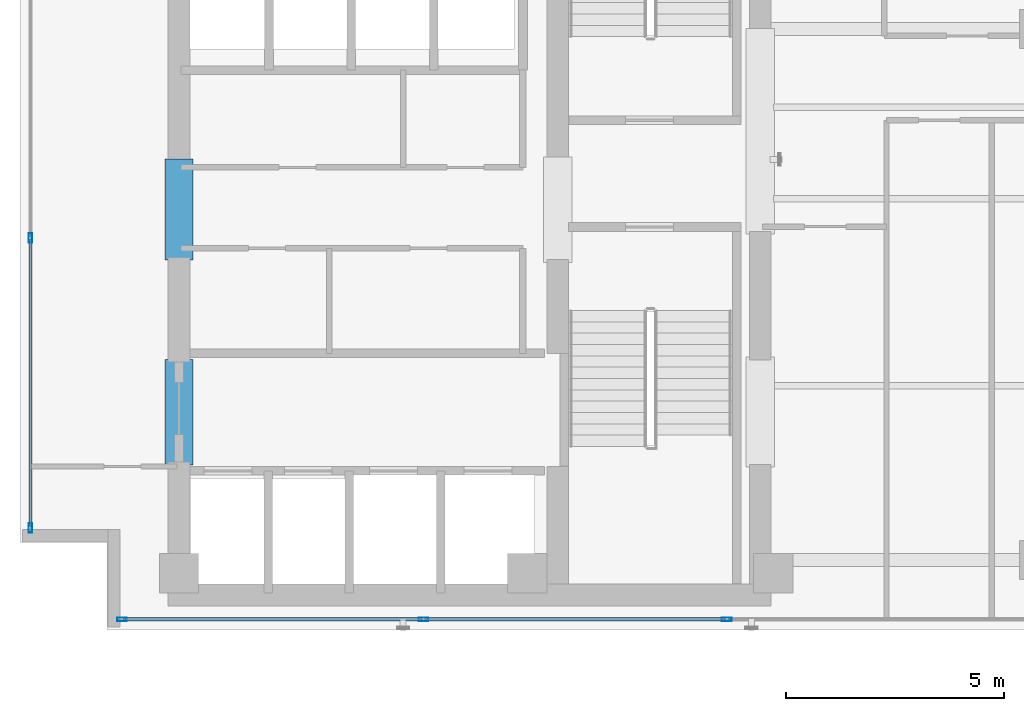
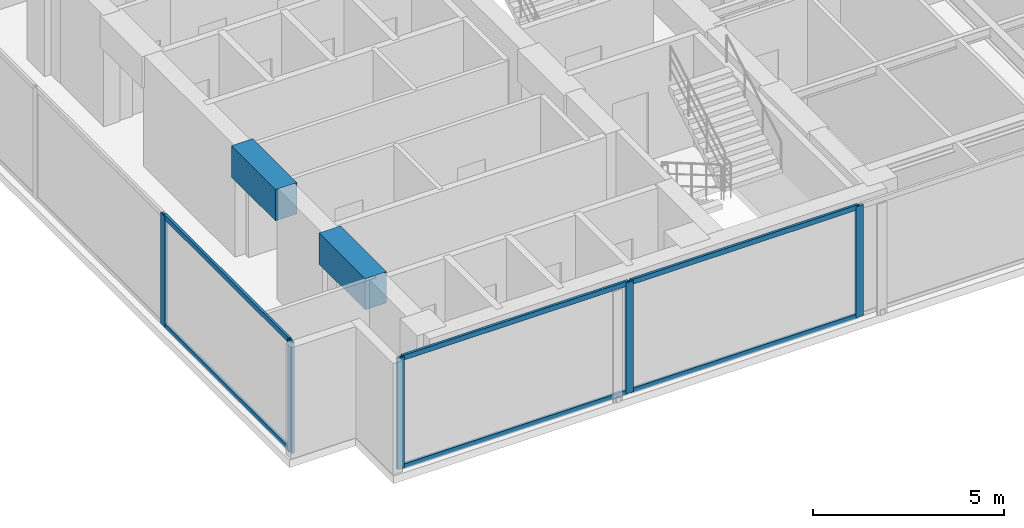
# One storey, part 2 of 23: 11 members, 2 beams, 2 elements without a shape of their own.
"""IFC4 building model written with IfcOpenShell, lengths in metres."""

from ifc_helpers import new_model, si_unit, direction, frame, origin, origin_with_axes, origin_2d, place, context, subcontext, project, spatial, rectangle, hollow_rectangle, extrude, source, transform, mapped, material, layer, layer_set, material_profile, profile_set, type_object, element, aggregate, save


model = new_model("IFC4")

# Units and contexts
model_context = context("Model", 3, precision=1e-05, world=origin(), true_north=direction((0.0, 1.0)))
body_context = subcontext(model_context, "Body", "Model", "MODEL_VIEW")
ifc_project = project(units=[si_unit("LENGTHUNIT", "METRE"), si_unit("AREAUNIT", "SQUARE_METRE"), si_unit("VOLUMEUNIT", "CUBIC_METRE"), si_unit("PLANEANGLEUNIT", "RADIAN"), si_unit("MASSUNIT", "GRAM", prefix="KILO")], contexts=[model_context])

# Site, building, storey
site_placement = place(None, origin())
site = spatial("IfcSite", under=ifc_project, at=site_placement, CompositionType="ELEMENT")
building_placement = place(site_placement, origin())
building = spatial("IfcBuilding", under=site, at=building_placement, Name="Kolvaren Waterfront Exchange", CompositionType="ELEMENT")
storey_placement = place(building_placement, frame((0.0, 0.0, 304.60009765625)))
storey = spatial("IfcBuildingStorey", under=building, at=storey_placement, Name="L78", CompositionType="ELEMENT", Elevation=304.60009765625)

# Beams
ifc_material_1 = material(Name="Concrete C60/75", Category="concrete")
ifc_material_profile_1 = material_profile(ifc_material_1, rectangle(XDim=0.64990234375, YDim=1.0, at=origin_2d()), Name="RC-CB-1000x650")
ifc_profile_set_1 = profile_set([ifc_material_profile_1], Name="Concrete C60/75")
beam_type = type_object("IfcBeamType", Name="STR-CB-1000", PredefinedType="SPANDREL", material=ifc_profile_set_1)
beam_1_placement = place(storey_placement, frame((7.449951171875, 7.389892578125, 3.059814453125), z_axis=(0.0, 1.0, 0.0), x_axis=(-1.0, 0.0, 0.0)))
element("IfcBeam", 1, at=beam_1_placement, inside=storey, type_object=beam_type, Name="L78 core coupling beam 3", PredefinedType="SPANDREL", context=body_context, shape_type="SweptSolid", body=[
    extrude(rectangle(XDim=0.64990234375, YDim=1.0, at=origin_2d()), origin(), (0.0, 0.0, 1.0), 2.420166015625),
])
beam_2_placement = place(storey_placement, frame((7.449951171875, 12.090087890625, 3.059814453125), z_axis=(0.0, 1.0, 0.0), x_axis=(-1.0, 0.0, 0.0)))
element("IfcBeam", 2, at=beam_2_placement, inside=storey, type_object=beam_type, Name="L78 core coupling beam 4", PredefinedType="SPANDREL", context=body_context, shape_type="SweptSolid", body=[
    extrude(rectangle(XDim=0.64990234375, YDim=1.0, at=origin_2d()), origin(), (0.0, 0.0, 1.0), 2.31982421875),
])

# Curtain wall, members
ifc_material_2 = material(Name="Anodised bronze aluminium 6063-T6", Category="aluminium")
ifc_layer_1 = layer(ifc_material_2, 0.219970703125, Name="Anodised bronze aluminium 6063-T6")
ifc_layer_set_1 = layer_set([ifc_layer_1], Name="Anodised bronze aluminium 6063-T6")
curtain_wall_type_1 = type_object("IfcCurtainWallType", Name="ARC-CW-SYS1", PredefinedType="USERDEFINED", material=ifc_layer_set_1)
curtain_wall_1_placement = place(storey_placement, origin())
curtain_wall_1 = element("IfcCurtainWall", 3, at=curtain_wall_1_placement, inside=storey, type_object=curtain_wall_type_1, Name="L78 stick curtain wall CW1 (CW-L78-S)", ObjectType="STICK CURTAIN WALL", PredefinedType="USERDEFINED")
ifc_material_3 = material(Name="Anodised aluminium 6063-T6", Category="aluminium")
ifc_material_profile_2 = material_profile(ifc_material_3, hollow_rectangle(XDim=0.080078125, YDim=0.219970703125, WallThickness=0.0048828125, at=origin_2d()), Name="ALU-MUL-220x80x5")
ifc_profile_set_2 = profile_set([ifc_material_profile_2], Name="Anodised aluminium 6063-T6")
member_type_1 = type_object("IfcMemberType", Name="ARC-CWM-220", PredefinedType="MULLION", material=ifc_profile_set_2)
shared_shape_1 = source(origin_with_axes(), body_context, "Body", "SweptSolid", [
    extrude(hollow_rectangle(XDim=0.080078125, YDim=0.219970703125, WallThickness=0.0048828125, at=origin_2d()), origin(), (0.0, 0.0, 1.0), 3.559814453125),
])
member_1_placement = place(storey_placement, frame((6.139892578125, 3.840087890625, 0.0), z_axis=(0.0, 0.0, 1.0), x_axis=(0.0, 1.0, 0.0)))
member_1 = element("IfcMember", 4, at=member_1_placement, type_object=member_type_1, Name="CW1 mullion 1", PredefinedType="MULLION", context=body_context, shape_type="MappedRepresentation", body=[
    mapped(shared_shape_1, transform((0.0, 0.0, 0.0), x_axis=(1.0, 0.0, 0.0), y_axis=(0.0, 1.0, 0.0), z_axis=(0.0, 0.0, 1.0), scale=1.0)),
])
member_2_placement = place(storey_placement, frame((13.065673828125, 3.840087890625, 0.0), z_axis=(0.0, 0.0, 1.0), x_axis=(0.0, 1.0, 0.0)))
member_2 = element("IfcMember", 5, at=member_2_placement, type_object=member_type_1, Name="CW1 mullion 2", PredefinedType="MULLION", context=body_context, shape_type="MappedRepresentation", body=[
    mapped(shared_shape_1, transform((0.0, 0.0, 0.0), x_axis=(1.0, 0.0, 0.0), y_axis=(0.0, 1.0, 0.0), z_axis=(0.0, 0.0, 1.0), scale=1.0)),
])
member_3_placement = place(storey_placement, frame((20.031494140625, 3.840087890625, 0.0), z_axis=(0.0, 0.0, 1.0), x_axis=(0.0, 1.0, 0.0)))
member_3 = element("IfcMember", 6, at=member_3_placement, type_object=member_type_1, Name="CW1 mullion 3", PredefinedType="MULLION", context=body_context, shape_type="MappedRepresentation", body=[
    mapped(shared_shape_1, transform((0.0, 0.0, 0.0), x_axis=(1.0, 0.0, 0.0), y_axis=(0.0, 1.0, 0.0), z_axis=(0.0, 0.0, 1.0), scale=1.0)),
])

ifc_layer_2 = layer(ifc_material_3, 0.219970703125, Name="Anodised aluminium 6063-T6")
ifc_layer_set_2 = layer_set([ifc_layer_2], Name="Anodised aluminium 6063-T6")
curtain_wall_type_2 = type_object("IfcCurtainWallType", Name="ARC-CW-SYS2", PredefinedType="USERDEFINED", material=ifc_layer_set_2)
curtain_wall_2_placement = place(storey_placement, origin())
curtain_wall_2 = element("IfcCurtainWall", 7, at=curtain_wall_2_placement, inside=storey, type_object=curtain_wall_type_2, Name="L78 stick curtain wall CW2 (CW-L78-W)", ObjectType="STICK CURTAIN WALL", PredefinedType="USERDEFINED")
member_4_placement = place(storey_placement, frame((4.0400390625, 5.93994140625, 0.0), z_axis=(0.0, 0.0, 1.0), x_axis=(-1.0, 0.0, 0.0)))
member_4 = element("IfcMember", 8, at=member_4_placement, type_object=member_type_1, Name="CW2 mullion 1", PredefinedType="MULLION", context=body_context, shape_type="MappedRepresentation", body=[
    mapped(shared_shape_1, transform((0.0, 0.0, 0.0), x_axis=(1.0, 0.0, 0.0), y_axis=(0.0, 1.0, 0.0), z_axis=(0.0, 0.0, 1.0), scale=1.0)),
])
member_5_placement = place(storey_placement, frame((4.0400390625, 12.59912109375, 0.0), z_axis=(0.0, 0.0, 1.0), x_axis=(-1.0, 0.0, 0.0)))
member_5 = element("IfcMember", 9, at=member_5_placement, type_object=member_type_1, Name="CW2 mullion 2", PredefinedType="MULLION", context=body_context, shape_type="MappedRepresentation", body=[
    mapped(shared_shape_1, transform((0.0, 0.0, 0.0), x_axis=(1.0, 0.0, 0.0), y_axis=(0.0, 1.0, 0.0), z_axis=(0.0, 0.0, 1.0), scale=1.0)),
])

# Member
ifc_material_profile_3 = material_profile(ifc_material_3, hollow_rectangle(XDim=0.074951171875, YDim=0.159912109375, WallThickness=0.00439453125, at=origin_2d()), Name="ALU-TRN-160x75x4.5")
ifc_profile_set_3 = profile_set([ifc_material_profile_3], Name="Anodised aluminium 6063-T6")
member_type_2 = type_object("IfcMemberType", Name="ARC-CWT-160", PredefinedType="USERDEFINED", material=ifc_profile_set_3)
shared_shape_2 = source(origin_with_axes(), body_context, "Body", "SweptSolid", [
    extrude(hollow_rectangle(XDim=0.074951171875, YDim=0.159912109375, WallThickness=0.00439453125, at=origin_2d()), origin(), (0.0, 0.0, 1.0), 6.845947265625),
])
member_6_placement = place(storey_placement, frame((6.179931640625, 3.840087890625, 0.037353515625), z_axis=(1.0, 0.0, 0.0), x_axis=(0.0, 1.0, 0.0)))
member_6 = element("IfcMember", 10, at=member_6_placement, type_object=member_type_2, Name="CW1 transom 1.1", ObjectType="TRANSOM", PredefinedType="USERDEFINED", context=body_context, shape_type="MappedRepresentation", body=[
    mapped(shared_shape_2, transform((0.0, 0.0, 0.0), x_axis=(1.0, 0.0, 0.0), y_axis=(0.0, 1.0, 0.0), z_axis=(0.0, 0.0, 1.0), scale=1.0)),
])

member_7_placement = place(storey_placement, frame((6.179931640625, 3.840087890625, 3.5224609375), z_axis=(1.0, 0.0, 0.0), x_axis=(0.0, 1.0, 0.0)))
member_7 = element("IfcMember", 11, at=member_7_placement, type_object=member_type_2, Name="CW1 transom 1.2", ObjectType="TRANSOM", PredefinedType="USERDEFINED", context=body_context, shape_type="MappedRepresentation", body=[
    mapped(shared_shape_2, transform((0.0, 0.0, 0.0), x_axis=(1.0, 0.0, 0.0), y_axis=(0.0, 1.0, 0.0), z_axis=(0.0, 0.0, 1.0), scale=1.0)),
])

shared_shape_3 = source(origin_with_axes(), body_context, "Body", "SweptSolid", [
    extrude(hollow_rectangle(XDim=0.074951171875, YDim=0.159912109375, WallThickness=0.00439453125, at=origin_2d()), origin(), (0.0, 0.0, 1.0), 6.8857421875),
])
member_8_placement = place(storey_placement, frame((13.105712890625, 3.840087890625, 0.037353515625), z_axis=(1.0, 0.0, 0.0), x_axis=(0.0, 1.0, 0.0)))
member_8 = element("IfcMember", 12, at=member_8_placement, type_object=member_type_2, Name="CW1 transom 2.1", ObjectType="TRANSOM", PredefinedType="USERDEFINED", context=body_context, shape_type="MappedRepresentation", body=[
    mapped(shared_shape_3, transform((0.0, 0.0, 0.0), x_axis=(1.0, 0.0, 0.0), y_axis=(0.0, 1.0, 0.0), z_axis=(0.0, 0.0, 1.0), scale=1.0)),
])

member_9_placement = place(storey_placement, frame((13.105712890625, 3.840087890625, 3.5224609375), z_axis=(1.0, 0.0, 0.0), x_axis=(0.0, 1.0, 0.0)))
member_9 = element("IfcMember", 13, at=member_9_placement, type_object=member_type_2, Name="CW1 transom 2.2", ObjectType="TRANSOM", PredefinedType="USERDEFINED", context=body_context, shape_type="MappedRepresentation", body=[
    mapped(shared_shape_3, transform((0.0, 0.0, 0.0), x_axis=(1.0, 0.0, 0.0), y_axis=(0.0, 1.0, 0.0), z_axis=(0.0, 0.0, 1.0), scale=1.0)),
])

aggregate(curtain_wall_1, [member_1, member_2, member_3, member_6, member_7, member_8, member_9])

shared_shape_4 = source(origin_with_axes(), body_context, "Body", "SweptSolid", [
    extrude(hollow_rectangle(XDim=0.074951171875, YDim=0.159912109375, WallThickness=0.00439453125, at=origin_2d()), origin(), (0.0, 0.0, 1.0), 6.5791015625),
])
member_10_placement = place(storey_placement, frame((4.0400390625, 5.97998046875, 0.037353515625), z_axis=(0.0, 1.0, 0.0), x_axis=(-1.0, 0.0, 0.0)))
member_10 = element("IfcMember", 14, at=member_10_placement, type_object=member_type_2, Name="CW2 transom 1.1", ObjectType="TRANSOM", PredefinedType="USERDEFINED", context=body_context, shape_type="MappedRepresentation", body=[
    mapped(shared_shape_4, transform((0.0, 0.0, 0.0), x_axis=(1.0, 0.0, 0.0), y_axis=(0.0, 1.0, 0.0), z_axis=(0.0, 0.0, 1.0), scale=1.0)),
])

member_11_placement = place(storey_placement, frame((4.0400390625, 5.97998046875, 3.5224609375), z_axis=(0.0, 1.0, 0.0), x_axis=(-1.0, 0.0, 0.0)))
member_11 = element("IfcMember", 15, at=member_11_placement, type_object=member_type_2, Name="CW2 transom 1.2", ObjectType="TRANSOM", PredefinedType="USERDEFINED", context=body_context, shape_type="MappedRepresentation", body=[
    mapped(shared_shape_4, transform((0.0, 0.0, 0.0), x_axis=(1.0, 0.0, 0.0), y_axis=(0.0, 1.0, 0.0), z_axis=(0.0, 0.0, 1.0), scale=1.0)),
])

aggregate(curtain_wall_2, [member_4, member_5, member_10, member_11])

save(model, "model.ifc")
